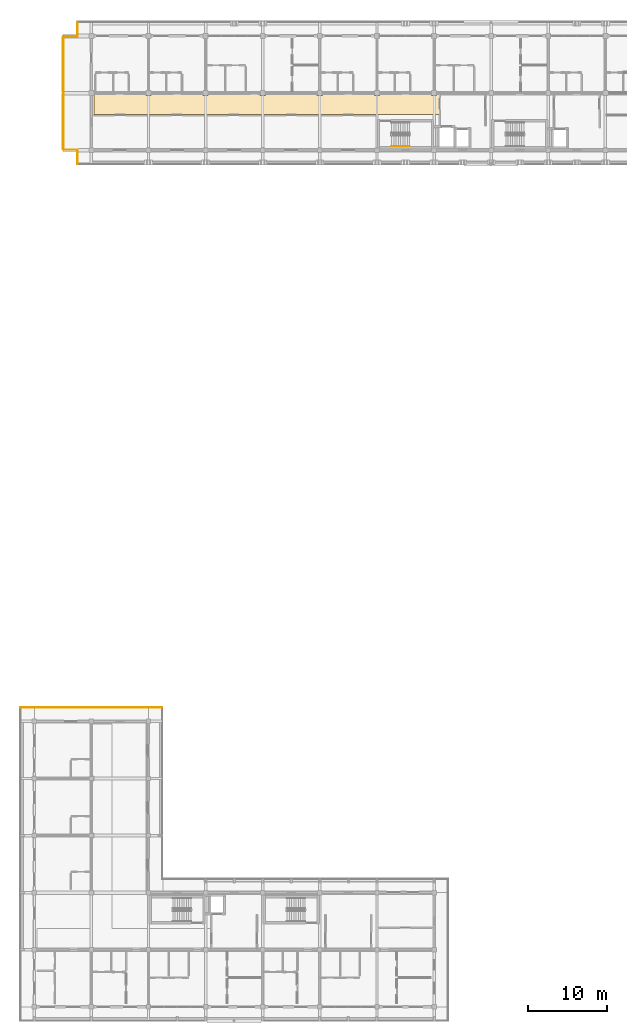
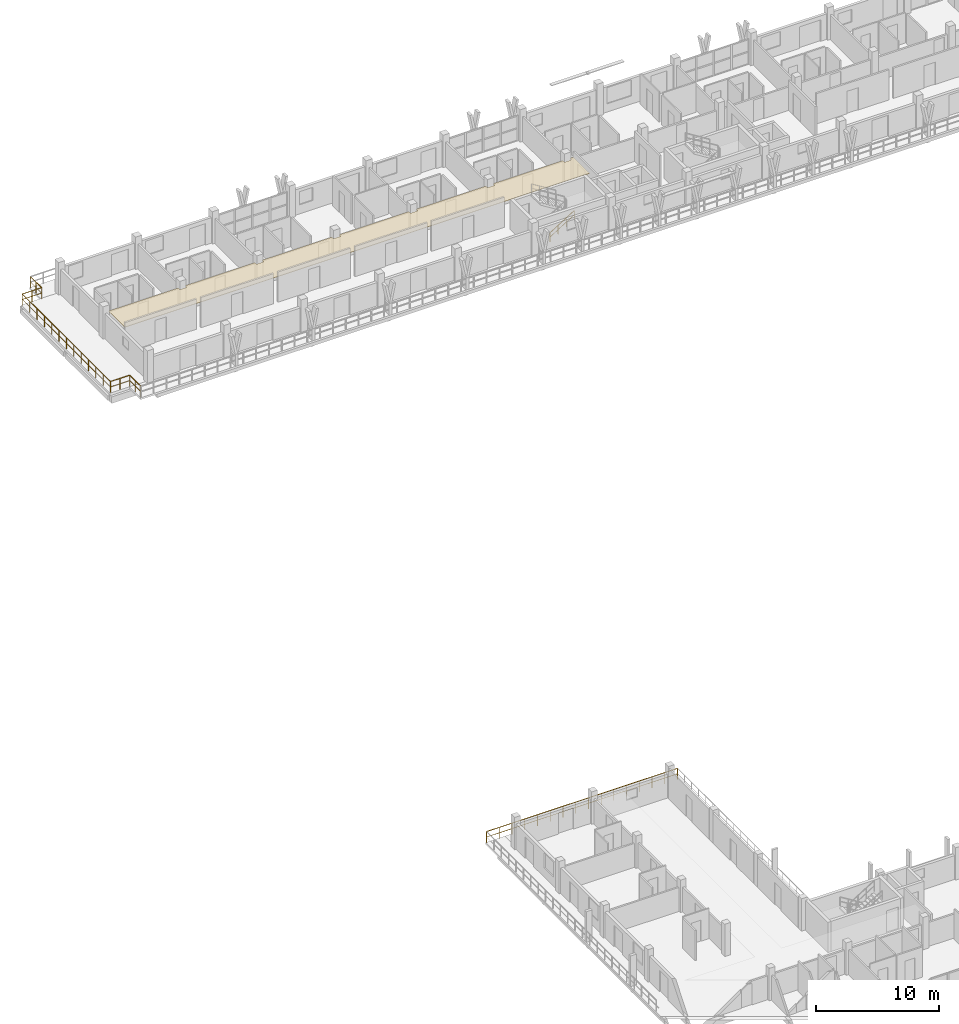
# One storey, part 62 of 73: 7 railings, 1 covering.
"""IFC4 building model written with IfcOpenShell, lengths in metres."""

from ifc_helpers import new_model, si_unit, direction, frame, origin, origin_2d, place, context, subcontext, project, spatial, polyline, rectangle, outline, extrude, material, layer, layer_set, type_object, element, save


model = new_model("IFC4")

# Units and contexts
model_context = context("Model", 3, precision=1e-05, world=origin(), true_north=direction((0.0, 1.0)))
body_context = subcontext(model_context, "Body", "Model", "MODEL_VIEW")
ifc_project = project(units=[si_unit("LENGTHUNIT", "METRE"), si_unit("AREAUNIT", "SQUARE_METRE"), si_unit("VOLUMEUNIT", "CUBIC_METRE"), si_unit("PLANEANGLEUNIT", "RADIAN"), si_unit("MASSUNIT", "GRAM", prefix="KILO")], contexts=[model_context])

# Site, building, storey
site_placement = place(None, origin())
site = spatial("IfcSite", under=ifc_project, at=site_placement, CompositionType="ELEMENT")
building_placement = place(site_placement, origin())
building = spatial("IfcBuilding", under=site, at=building_placement, Name="Suanplinth Sawtooth Commons", CompositionType="ELEMENT")
storey_placement = place(building_placement, frame((0.0, 0.0, 21.89990234375)))
storey = spatial("IfcBuildingStorey", under=building, at=storey_placement, Name="L06", CompositionType="ELEMENT", Elevation=21.89990234375)

# Covering
ifc_material_1 = material(Name="Mineral fibre acoustic tile")
ifc_layer = layer(ifc_material_1, 0.0400390625, Name="Perforated mineral-fibre acoustic suspended ceiling")
ifc_layer_set = layer_set([ifc_layer], Name="Mineral fibre acoustic tile")
covering_type = type_object("IfcCoveringType", Name="CV-CE01", PredefinedType="CEILING", material=ifc_layer_set)
covering_placement = place(storey_placement, frame((0.0, 0.0, 2.380126953125)))
element("IfcCovering", 1, at=covering_placement, inside=storey, type_object=covering_type, Name="L06 Block A Corridor Acoustic Ceiling", PredefinedType="CEILING", context=body_context, shape_type="SweptSolid", body=[
    extrude(outline(polyline([(7.56005859375, 112.5), (7.56005859375, 115.1201171875), (14.070068359375, 115.1201171875), (14.070068359375, 114.8701171875), (14.72998046875, 114.8701171875), (14.72998046875, 115.1201171875), (21.27001953125, 115.1201171875), (21.27001953125, 114.8701171875), (21.929931640625, 114.8701171875), (21.929931640625, 115.1201171875), (28.469970703125, 115.1201171875), (28.469970703125, 114.8701171875), (29.1298828125, 114.8701171875), (29.1298828125, 115.1201171875), (35.669921875, 115.1201171875), (35.669921875, 114.8701171875), (36.330078125, 114.8701171875), (36.330078125, 115.1201171875), (42.8701171875, 115.1201171875), (42.8701171875, 114.8701171875), (43.530029296875, 114.8701171875), (43.530029296875, 115.1201171875), (50.070068359375, 115.1201171875), (50.070068359375, 114.8701171875), (50.72998046875, 114.8701171875), (50.72998046875, 115.1201171875), (51.080078125, 115.1201171875), (51.080078125, 112.5), (7.56005859375, 112.5)])), origin(), (0.0, 0.0, 1.0), 0.0400390625),
])

# Railings
ifc_material_2 = material(Name="Powder-coated galvanized steel", Category="steel")
railing_type_1 = type_object("IfcRailingType", Name="GR-01", PredefinedType="BALUSTRADE", material=ifc_material_2)
railing_1_placement = place(storey_placement, frame((5.4599609375, 108.06005859375, 0.0)))
element("IfcRailing", 2, at=railing_1_placement, inside=storey, type_object=railing_type_1, Name="L06 Block A Perimeter Balustrade 1", PredefinedType="BALUSTRADE", context=body_context, shape_type="SweptSolid", body=[
    extrude(rectangle(XDim=0.048095703125, YDim=0.048095703125, at=origin_2d()), frame((0.0, 0.0, 1.09619140625), z_axis=(-1.0, 0.0, 0.0), x_axis=(0.0, -1.0, 0.0)), (0.0, 0.0, 1.0), 1.800048828125),
    extrude(rectangle(XDim=0.03369140625, YDim=0.03369140625, at=origin_2d()), frame((0.0, 0.0, 0.56005859375), z_axis=(-1.0, 0.0, 0.0), x_axis=(0.0, -1.0, 0.0)), (0.0, 0.0, 1.0), 1.800048828125),
    extrude(rectangle(XDim=0.0419921875, YDim=0.0419921875, at=origin_2d()), origin(), (0.0, 0.0, 1.0), 1.072021484375),
    extrude(rectangle(XDim=0.0419921875, YDim=0.0419921875, at=origin_2d()), frame((-0.89990234375, 0.0, 0.0)), (0.0, 0.0, 1.0), 1.072021484375),
    extrude(rectangle(XDim=0.0419921875, YDim=0.0419921875, at=origin_2d()), frame((-1.800048828125, 0.0, 0.0)), (0.0, 0.0, 1.0), 1.072021484375),
])
railing_2_placement = place(storey_placement, frame((3.659912109375, 108.06005859375, 0.0)))
element("IfcRailing", 3, at=railing_2_placement, inside=storey, type_object=railing_type_1, Name="L06 Block A Perimeter Balustrade 2", PredefinedType="BALUSTRADE", context=body_context, shape_type="SweptSolid", body=[
    extrude(rectangle(XDim=0.048095703125, YDim=0.048095703125, at=origin_2d()), frame((0.0, 0.0, 1.09619140625), z_axis=(0.0, 1.0, 0.0), x_axis=(-1.0, 0.0, 0.0)), (0.0, 0.0, 1.0), 14.280029296875),
    extrude(rectangle(XDim=0.03369140625, YDim=0.03369140625, at=origin_2d()), frame((0.0, 0.0, 0.56005859375), z_axis=(0.0, 1.0, 0.0), x_axis=(-1.0, 0.0, 0.0)), (0.0, 0.0, 1.0), 14.280029296875),
    extrude(rectangle(XDim=0.0419921875, YDim=0.0419921875, at=origin_2d()), origin(), (0.0, 0.0, 1.0), 1.072021484375),
    extrude(rectangle(XDim=0.0419921875, YDim=0.0419921875, at=origin_2d()), frame((0.0, 1.18994140625, 0.0)), (0.0, 0.0, 1.0), 1.072021484375),
    extrude(rectangle(XDim=0.0419921875, YDim=0.0419921875, at=origin_2d()), frame((0.0, 2.3798828125, 0.0)), (0.0, 0.0, 1.0), 1.072021484375),
    extrude(rectangle(XDim=0.0419921875, YDim=0.0419921875, at=origin_2d()), frame((0.0, 3.570068359375, 0.0)), (0.0, 0.0, 1.0), 1.072021484375),
    extrude(rectangle(XDim=0.0419921875, YDim=0.0419921875, at=origin_2d()), frame((0.0, 4.760009765625, 0.0)), (0.0, 0.0, 1.0), 1.072021484375),
    extrude(rectangle(XDim=0.0419921875, YDim=0.0419921875, at=origin_2d()), frame((0.0, 5.949951171875, 0.0)), (0.0, 0.0, 1.0), 1.072021484375),
    extrude(rectangle(XDim=0.0419921875, YDim=0.0419921875, at=origin_2d()), frame((0.0, 7.14013671875, 0.0)), (0.0, 0.0, 1.0), 1.072021484375),
    extrude(rectangle(XDim=0.0419921875, YDim=0.0419921875, at=origin_2d()), frame((0.0, 8.330078125, 0.0)), (0.0, 0.0, 1.0), 1.072021484375),
    extrude(rectangle(XDim=0.0419921875, YDim=0.0419921875, at=origin_2d()), frame((0.0, 9.52001953125, 0.0)), (0.0, 0.0, 1.0), 1.072021484375),
    extrude(rectangle(XDim=0.0419921875, YDim=0.0419921875, at=origin_2d()), frame((0.0, 10.7099609375, 0.0)), (0.0, 0.0, 1.0), 1.072021484375),
    extrude(rectangle(XDim=0.0419921875, YDim=0.0419921875, at=origin_2d()), frame((0.0, 11.89990234375, 0.0)), (0.0, 0.0, 1.0), 1.072021484375),
    extrude(rectangle(XDim=0.0419921875, YDim=0.0419921875, at=origin_2d()), frame((0.0, 13.090087890625, 0.0)), (0.0, 0.0, 1.0), 1.072021484375),
    extrude(rectangle(XDim=0.0419921875, YDim=0.0419921875, at=origin_2d()), frame((0.0, 14.280029296875, 0.0)), (0.0, 0.0, 1.0), 1.072021484375),
])
railing_3_placement = place(storey_placement, frame((3.659912109375, 122.340087890625, 0.0)))
element("IfcRailing", 4, at=railing_3_placement, inside=storey, type_object=railing_type_1, Name="L06 Block A Perimeter Balustrade 3", PredefinedType="BALUSTRADE", context=body_context, shape_type="SweptSolid", body=[
    extrude(rectangle(XDim=0.048095703125, YDim=0.048095703125, at=origin_2d()), frame((0.0, 0.0, 1.09619140625), z_axis=(1.0, 0.0, 0.0), x_axis=(0.0, 1.0, 0.0)), (0.0, 0.0, 1.0), 1.800048828125),
    extrude(rectangle(XDim=0.03369140625, YDim=0.03369140625, at=origin_2d()), frame((0.0, 0.0, 0.56005859375), z_axis=(1.0, 0.0, 0.0), x_axis=(0.0, 1.0, 0.0)), (0.0, 0.0, 1.0), 1.800048828125),
    extrude(rectangle(XDim=0.0419921875, YDim=0.0419921875, at=origin_2d()), origin(), (0.0, 0.0, 1.0), 1.072021484375),
    extrude(rectangle(XDim=0.0419921875, YDim=0.0419921875, at=origin_2d()), frame((0.89990234375, 0.0, 0.0)), (0.0, 0.0, 1.0), 1.072021484375),
    extrude(rectangle(XDim=0.0419921875, YDim=0.0419921875, at=origin_2d()), frame((1.800048828125, 0.0, 0.0)), (0.0, 0.0, 1.0), 1.072021484375),
])
railing_4_placement = place(storey_placement, frame((5.4599609375, 122.340087890625, 0.0)))
element("IfcRailing", 5, at=railing_4_placement, inside=storey, type_object=railing_type_1, Name="L06 Block A Perimeter Balustrade 4", PredefinedType="BALUSTRADE", context=body_context, shape_type="SweptSolid", body=[
    extrude(rectangle(XDim=0.048095703125, YDim=0.048095703125, at=origin_2d()), frame((0.0, 0.0, 1.09619140625), z_axis=(0.0, 1.0, 0.0), x_axis=(-1.0, 0.0, 0.0)), (0.0, 0.0, 1.0), 1.7998046875),
    extrude(rectangle(XDim=0.03369140625, YDim=0.03369140625, at=origin_2d()), frame((0.0, 0.0, 0.56005859375), z_axis=(0.0, 1.0, 0.0), x_axis=(-1.0, 0.0, 0.0)), (0.0, 0.0, 1.0), 1.7998046875),
    extrude(rectangle(XDim=0.0419921875, YDim=0.0419921875, at=origin_2d()), origin(), (0.0, 0.0, 1.0), 1.072021484375),
    extrude(rectangle(XDim=0.0419921875, YDim=0.0419921875, at=origin_2d()), frame((0.0, 0.89990234375, 0.0)), (0.0, 0.0, 1.0), 1.072021484375),
    extrude(rectangle(XDim=0.0419921875, YDim=0.0419921875, at=origin_2d()), frame((0.0, 1.7998046875, 0.0)), (0.0, 0.0, 1.0), 1.072021484375),
])
railing_5_placement = place(storey_placement, frame((5.4599609375, 106.260009765625, 0.0)))
element("IfcRailing", 6, at=railing_5_placement, inside=storey, type_object=railing_type_1, Name="L06 Block A Perimeter Balustrade 12", PredefinedType="BALUSTRADE", context=body_context, shape_type="SweptSolid", body=[
    extrude(rectangle(XDim=0.048095703125, YDim=0.048095703125, at=origin_2d()), frame((0.0, 0.0, 1.09619140625), z_axis=(0.0, 1.0, 0.0), x_axis=(-1.0, 0.0, 0.0)), (0.0, 0.0, 1.0), 1.800048828125),
    extrude(rectangle(XDim=0.03369140625, YDim=0.03369140625, at=origin_2d()), frame((0.0, 0.0, 0.56005859375), z_axis=(0.0, 1.0, 0.0), x_axis=(-1.0, 0.0, 0.0)), (0.0, 0.0, 1.0), 1.800048828125),
    extrude(rectangle(XDim=0.0419921875, YDim=0.0419921875, at=origin_2d()), origin(), (0.0, 0.0, 1.0), 1.072021484375),
    extrude(rectangle(XDim=0.0419921875, YDim=0.0419921875, at=origin_2d()), frame((0.0, 0.89990234375, 0.0)), (0.0, 0.0, 1.0), 1.072021484375),
    extrude(rectangle(XDim=0.0419921875, YDim=0.0419921875, at=origin_2d()), frame((0.0, 1.800048828125, 0.0)), (0.0, 0.0, 1.0), 1.072021484375),
])
railing_6_placement = place(storey_placement, frame((-1.739990234375, 37.739990234375, 0.0)))
element("IfcRailing", 7, at=railing_6_placement, inside=storey, type_object=railing_type_1, Name="L06 Block D Perimeter Balustrade 2", PredefinedType="BALUSTRADE", context=body_context, shape_type="SweptSolid", body=[
    extrude(rectangle(XDim=0.048095703125, YDim=0.048095703125, at=origin_2d()), frame((0.0, 0.0, 1.09619140625), z_axis=(1.0, 0.0, 0.0), x_axis=(0.0, 1.0, 0.0)), (0.0, 0.0, 1.0), 17.8798828125),
    extrude(rectangle(XDim=0.03369140625, YDim=0.03369140625, at=origin_2d()), frame((0.0, 0.0, 0.56005859375), z_axis=(1.0, 0.0, 0.0), x_axis=(0.0, 1.0, 0.0)), (0.0, 0.0, 1.0), 17.8798828125),
    extrude(rectangle(XDim=0.0419921875, YDim=0.0419921875, at=origin_2d()), origin(), (0.0, 0.0, 1.0), 1.072021484375),
    extrude(rectangle(XDim=0.0419921875, YDim=0.0419921875, at=origin_2d()), frame((1.19189453125, 0.0, 0.0)), (0.0, 0.0, 1.0), 1.072021484375),
    extrude(rectangle(XDim=0.0419921875, YDim=0.0419921875, at=origin_2d()), frame((2.384033203125, 0.0, 0.0)), (0.0, 0.0, 1.0), 1.072021484375),
    extrude(rectangle(XDim=0.0419921875, YDim=0.0419921875, at=origin_2d()), frame((3.575927734375, 0.0, 0.0)), (0.0, 0.0, 1.0), 1.072021484375),
    extrude(rectangle(XDim=0.0419921875, YDim=0.0419921875, at=origin_2d()), frame((4.76806640625, 0.0, 0.0)), (0.0, 0.0, 1.0), 1.072021484375),
    extrude(rectangle(XDim=0.0419921875, YDim=0.0419921875, at=origin_2d()), frame((5.9599609375, 0.0, 0.0)), (0.0, 0.0, 1.0), 1.072021484375),
    extrude(rectangle(XDim=0.0419921875, YDim=0.0419921875, at=origin_2d()), frame((7.15185546875, 0.0, 0.0)), (0.0, 0.0, 1.0), 1.072021484375),
    extrude(rectangle(XDim=0.0419921875, YDim=0.0419921875, at=origin_2d()), frame((8.343994140625, 0.0, 0.0)), (0.0, 0.0, 1.0), 1.072021484375),
    extrude(rectangle(XDim=0.0419921875, YDim=0.0419921875, at=origin_2d()), frame((9.535888671875, 0.0, 0.0)), (0.0, 0.0, 1.0), 1.072021484375),
    extrude(rectangle(XDim=0.0419921875, YDim=0.0419921875, at=origin_2d()), frame((10.72802734375, 0.0, 0.0)), (0.0, 0.0, 1.0), 1.072021484375),
    extrude(rectangle(XDim=0.0419921875, YDim=0.0419921875, at=origin_2d()), frame((11.919921875, 0.0, 0.0)), (0.0, 0.0, 1.0), 1.072021484375),
    extrude(rectangle(XDim=0.0419921875, YDim=0.0419921875, at=origin_2d()), frame((13.11181640625, 0.0, 0.0)), (0.0, 0.0, 1.0), 1.072021484375),
    extrude(rectangle(XDim=0.0419921875, YDim=0.0419921875, at=origin_2d()), frame((14.303955078125, 0.0, 0.0)), (0.0, 0.0, 1.0), 1.072021484375),
    extrude(rectangle(XDim=0.0419921875, YDim=0.0419921875, at=origin_2d()), frame((15.495849609375, 0.0, 0.0)), (0.0, 0.0, 1.0), 1.072021484375),
    extrude(rectangle(XDim=0.0419921875, YDim=0.0419921875, at=origin_2d()), frame((16.68798828125, 0.0, 0.0)), (0.0, 0.0, 1.0), 1.072021484375),
    extrude(rectangle(XDim=0.0419921875, YDim=0.0419921875, at=origin_2d()), frame((17.8798828125, 0.0, 0.0)), (0.0, 0.0, 1.0), 1.072021484375),
])
ifc_material_3 = material(Name="Stainless steel Grade 304", Category="steel")
railing_type_2 = type_object("IfcRailingType", Name="HR-01", PredefinedType="HANDRAIL", material=ifc_material_3)
railing_7_placement = place(storey_placement, frame((45.050048828125, 108.5, 0.177978515625)))
element("IfcRailing", 8, at=railing_7_placement, inside=storey, type_object=railing_type_2, Name="L06 ST-N1 Handrail 1", PredefinedType="HANDRAIL", context=body_context, shape_type="SweptSolid", body=[
    extrude(rectangle(XDim=0.048095703125, YDim=0.048095703125, at=origin_2d()), frame((0.0, 0.0, 0.8759765625), z_axis=(0.848482842525, 0.0, 0.529222888715), x_axis=(0.0, 1.0, 0.0)), (0.0, 0.0, 1.0), 2.687255859375),
    extrude(rectangle(XDim=0.03369140625, YDim=0.03369140625, at=origin_2d()), frame((0.0, 0.0, 0.449951171875), z_axis=(0.848482842525, 0.0, 0.529222888715), x_axis=(0.0, 1.0, 0.0)), (0.0, 0.0, 1.0), 2.687255859375),
    extrude(rectangle(XDim=0.0419921875, YDim=0.0419921875, at=origin_2d()), origin(), (0.0, 0.0, 1.0), 0.851806640625),
    extrude(rectangle(XDim=0.0419921875, YDim=0.0419921875, at=origin_2d()), frame((0.760009765625, 0.0, 0.47412109375)), (0.0, 0.0, 1.0), 0.851806640625),
    extrude(rectangle(XDim=0.0419921875, YDim=0.0419921875, at=origin_2d()), frame((1.52001953125, 0.0, 0.947998046875)), (0.0, 0.0, 1.0), 0.851806640625),
    extrude(rectangle(XDim=0.0419921875, YDim=0.0419921875, at=origin_2d()), frame((2.280029296875, 0.0, 1.422119140625)), (0.0, 0.0, 1.0), 0.851806640625),
])

save(model, "model.ifc")
